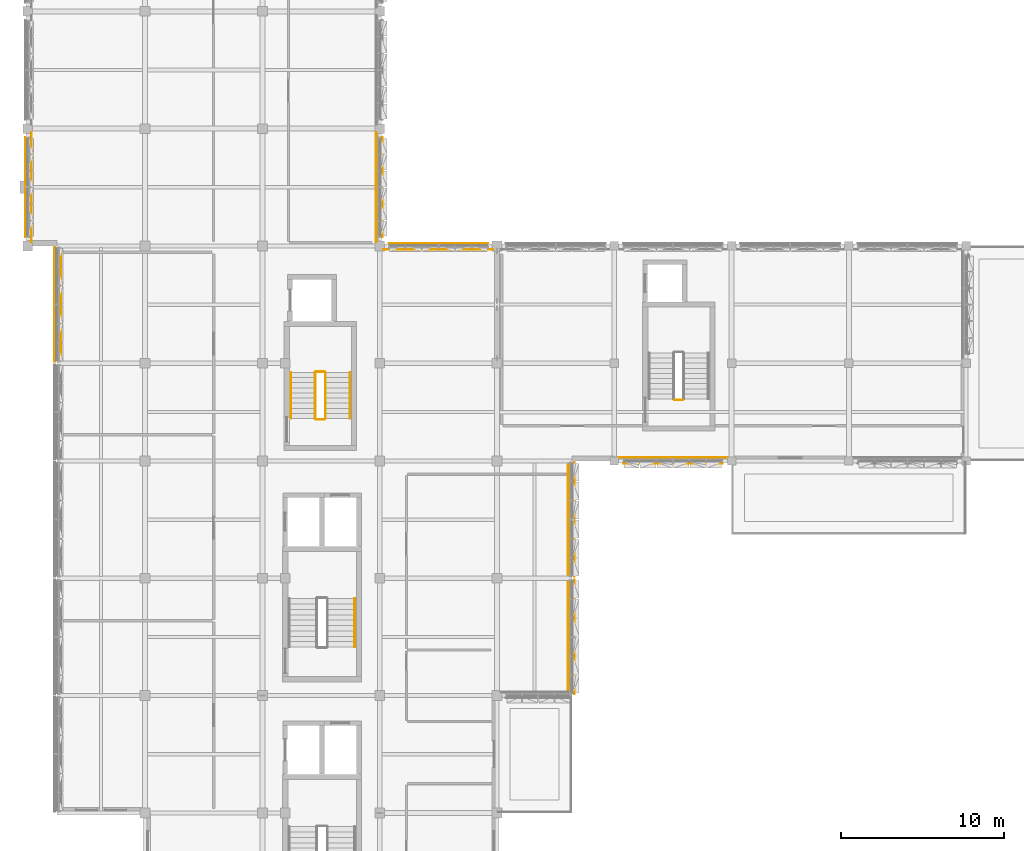
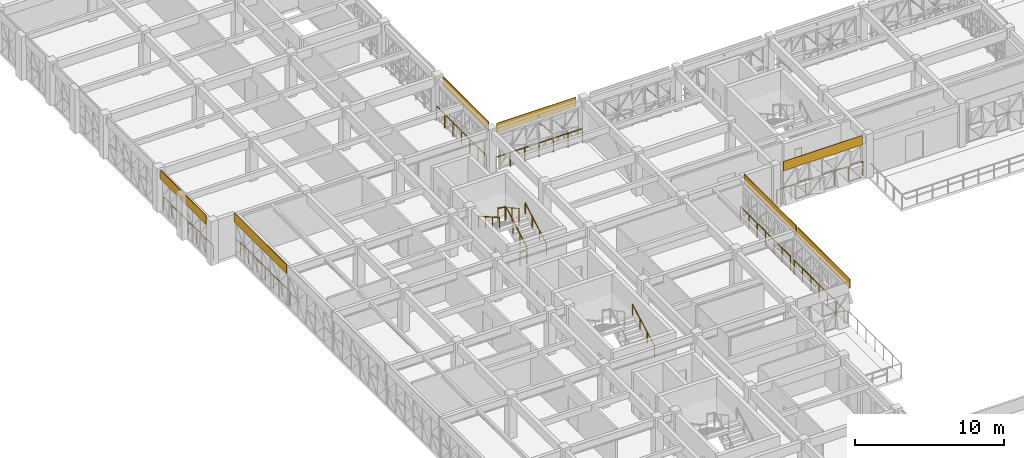
# One storey, part 61 of 74: 15 railings, 7 coverings.
"""IFC4 building model written with IfcOpenShell, lengths in metres."""

from ifc_helpers import new_model, si_unit, direction, frame, origin, origin_2d, place, context, subcontext, project, spatial, polyline, circle, outline, extrude, material, layer, layer_set, type_object, element, save


model = new_model("IFC4")

# Units and contexts
model_context = context("Model", 3, precision=1e-05, world=origin(), true_north=direction((0.0, 1.0)))
body_context = subcontext(model_context, "Body", "Model", "MODEL_VIEW")
ifc_project = project(units=[si_unit("LENGTHUNIT", "METRE"), si_unit("AREAUNIT", "SQUARE_METRE"), si_unit("VOLUMEUNIT", "CUBIC_METRE"), si_unit("PLANEANGLEUNIT", "RADIAN"), si_unit("MASSUNIT", "GRAM", prefix="KILO")], contexts=[model_context])

# Site, building, storey
site_placement = place(None, origin())
site = spatial("IfcSite", under=ifc_project, at=site_placement, CompositionType="ELEMENT")
building_placement = place(site_placement, origin())
building = spatial("IfcBuilding", under=site, at=building_placement, Name="Alvorim Cloister Faculty of Sciences", CompositionType="ELEMENT")
storey_placement = place(building_placement, frame((0.0, 0.0, 15.75)))
storey = spatial("IfcBuildingStorey", under=building, at=storey_placement, Name="L04", CompositionType="ELEMENT", Elevation=15.75)

# Coverings
ifc_material_1 = material(Name="Anodised Aluminium Alloy 6063-T6", Category="aluminium")
ifc_layer = layer(ifc_material_1, 0.031982421875)
ifc_layer_set = layer_set([ifc_layer], Name="Anodised Aluminium Alloy 6063-T6")
covering_type = type_object("IfcCoveringType", Name="COV-FAC-CAS", PredefinedType="CLADDING", material=ifc_layer_set)
covering_placement = place(storey_placement, frame((1.64990234375, 49.280029296875, 2.8369140625), z_axis=(0.0, 0.0, 1.0), x_axis=(0.0, 1.0, 0.0)))
element("IfcCovering", 1, at=covering_placement, inside=storey, type_object=covering_type, Name="L04 Shifted Bar Slab-Edge Architectural Fascia", PredefinedType="CLADDING", context=body_context, shape_type="SweptSolid", body=[
    extrude(outline(polyline([(0.0, 0.0), (7.0400390625, 0.0), (7.0400390625, 0.753173828125), (0.0, 0.753173828125), (0.0, 0.0)])), frame((0.0, 0.0224609375, 0.0), z_axis=(0.0, -1.0, 0.0), x_axis=(1.0, 0.0, 0.0)), (0.0, 0.0, 1.0), 0.044921875),
])
for number, where, z_axis, x_axis, name in (
    (2, (-0.14990234375, 56.93994140625, 2.830078125), (0.0, 0.0, 1.0), (0.0, 1.0, 0.0), "L04 Shifted Bar Slab-Edge Architectural Fascia"),
    (3, (21.75, 56.93994140625, 2.830078125), (0.0, 0.0, 1.0), (0.0, 1.0, 0.0), "L04 Shifted Bar Slab-Edge Architectural Fascia"),
    (4, (22.139892578125, 56.550048828125, 2.830078125), (0.0, 0.0, 1.0), (1.0, 0.0, 0.0), "L04 Shifted Bar Slab-Edge Architectural Fascia"),
    (5, (36.5400390625, 43.050048828125, 2.830078125), (0.0, 0.0, 1.0), (1.0, 0.0, 0.0), "L04 Shifted Bar Slab-Edge Architectural Fascia"),
):
    element("IfcCovering", number, at=place(storey_placement, frame(where, z_axis=z_axis, x_axis=x_axis)), inside=storey, type_object=covering_type, Name=name, PredefinedType="CLADDING", context=body_context, shape_type="SweptSolid", body=[
        extrude(outline(polyline([(0.0, 0.0), (6.1201171875, 0.0), (6.1201171875, 0.760009765625), (0.0, 0.760009765625), (0.0, 0.0)])), frame((0.0, 0.0224609375, 0.0), z_axis=(0.0, -1.0, 0.0), x_axis=(1.0, 0.0, 0.0)), (0.0, 0.0, 1.0), 0.044921875),
    ])
for number, where, z_axis, x_axis, name in (
    (6, (33.550048828125, 36.080078125, 2.8369140625), (0.0, 0.0, 1.0), (0.0, 1.0, 0.0), "L04 Shifted Bar Slab-Edge Architectural Fascia"),
    (7, (33.550048828125, 28.8798828125, 2.8369140625), (0.0, 0.0, 1.0), (0.0, 1.0, 0.0), "L04 Shifted Bar Slab-Edge Architectural Fascia"),
):
    element("IfcCovering", number, at=place(storey_placement, frame(where, z_axis=z_axis, x_axis=x_axis)), inside=storey, type_object=covering_type, Name=name, PredefinedType="CLADDING", context=body_context, shape_type="SweptSolid", body=[
        extrude(outline(polyline([(0.0, 0.0), (7.0400390625, 0.0), (7.0400390625, 0.753173828125), (0.0, 0.753173828125), (0.0, 0.0)])), frame((0.0, 0.0224609375, 0.0), z_axis=(0.0, -1.0, 0.0), x_axis=(1.0, 0.0, 0.0)), (0.0, 0.0, 1.0), 0.044921875),
    ])

# Railings
ifc_material_2 = material(Name="Laminated Safety Glass and Bronze", Category="glass")
railing_type_1 = type_object("IfcRailingType", Name="RL-ATR-BAL-1150", PredefinedType="BALUSTRADE", material=ifc_material_2)
railing_1_placement = place(storey_placement, frame((2.02001953125, 49.449951171875, 0.0)))
element("IfcRailing", 8, at=railing_1_placement, inside=storey, type_object=railing_type_1, Name="L04 Curtain Wall Sill Guard BL-163", PredefinedType="BALUSTRADE", context=body_context, shape_type="SweptSolid", body=[
    extrude(circle(Radius=0.02392578125, at=origin_2d()), frame((0.0, 0.0, 1.1259765625), z_axis=(0.0, 1.0, 0.0), x_axis=(-1.0, 0.0, 0.0)), (0.0, 0.0, 1.0), 6.699951171875),
    extrude(circle(Radius=0.02099609375, at=origin_2d()), origin(), (0.0, 0.0, 1.0), 1.101806640625),
    extrude(circle(Radius=0.02099609375, at=origin_2d()), frame((0.0, 1.11669921875, 0.0)), (0.0, 0.0, 1.0), 1.101806640625),
    extrude(circle(Radius=0.02099609375, at=origin_2d()), frame((0.0, 2.2333984375, 0.0)), (0.0, 0.0, 1.0), 1.101806640625),
    extrude(circle(Radius=0.02099609375, at=origin_2d()), frame((0.0, 3.35009765625, 0.0)), (0.0, 0.0, 1.0), 1.101806640625),
    extrude(circle(Radius=0.02099609375, at=origin_2d()), frame((0.0, 4.466552734375, 0.0)), (0.0, 0.0, 1.0), 1.101806640625),
    extrude(circle(Radius=0.02099609375, at=origin_2d()), frame((0.0, 5.583251953125, 0.0)), (0.0, 0.0, 1.0), 1.101806640625),
    extrude(circle(Radius=0.02099609375, at=origin_2d()), frame((0.0, 6.699951171875, 0.0)), (0.0, 0.0, 1.0), 1.101806640625),
])
for number, where, name in (
    (9, (0.219970703125, 56.64990234375, 0.0), "L04 Curtain Wall Sill Guard BL-164"),
    (10, (21.3798828125, 56.64990234375, 0.0), "L04 Curtain Wall Sill Guard BL-182"),
):
    element("IfcRailing", number, at=place(storey_placement, frame(where)), inside=storey, type_object=railing_type_1, Name=name, PredefinedType="BALUSTRADE", context=body_context, shape_type="SweptSolid", body=[
        extrude(circle(Radius=0.02392578125, at=origin_2d()), frame((0.0, 0.0, 1.1259765625), z_axis=(0.0, 1.0, 0.0), x_axis=(-1.0, 0.0, 0.0)), (0.0, 0.0, 1.0), 6.7001953125),
        extrude(circle(Radius=0.02099609375, at=origin_2d()), origin(), (0.0, 0.0, 1.0), 1.101806640625),
        extrude(circle(Radius=0.02099609375, at=origin_2d()), frame((0.0, 1.11669921875, 0.0)), (0.0, 0.0, 1.0), 1.101806640625),
        extrude(circle(Radius=0.02099609375, at=origin_2d()), frame((0.0, 2.2333984375, 0.0)), (0.0, 0.0, 1.0), 1.101806640625),
        extrude(circle(Radius=0.02099609375, at=origin_2d()), frame((0.0, 3.35009765625, 0.0)), (0.0, 0.0, 1.0), 1.101806640625),
        extrude(circle(Radius=0.02099609375, at=origin_2d()), frame((0.0, 4.466796875, 0.0)), (0.0, 0.0, 1.0), 1.101806640625),
        extrude(circle(Radius=0.02099609375, at=origin_2d()), frame((0.0, 5.58349609375, 0.0)), (0.0, 0.0, 1.0), 1.101806640625),
        extrude(circle(Radius=0.02099609375, at=origin_2d()), frame((0.0, 6.7001953125, 0.0)), (0.0, 0.0, 1.0), 1.101806640625),
    ])
for number, where, name in (
    (11, (21.85009765625, 56.179931640625, 0.0), "L04 Curtain Wall Sill Guard BL-183"),
    (12, (36.25, 43.419921875, 0.0), "L04 Curtain Wall Sill Guard BL-190"),
):
    element("IfcRailing", number, at=place(storey_placement, frame(where)), inside=storey, type_object=railing_type_1, Name=name, PredefinedType="BALUSTRADE", context=body_context, shape_type="SweptSolid", body=[
        extrude(circle(Radius=0.02392578125, at=origin_2d()), frame((0.0, 0.0, 1.1259765625), z_axis=(1.0, 0.0, 0.0), x_axis=(0.0, 1.0, 0.0)), (0.0, 0.0, 1.0), 6.699951171875),
        extrude(circle(Radius=0.02099609375, at=origin_2d()), origin(), (0.0, 0.0, 1.0), 1.101806640625),
        extrude(circle(Radius=0.02099609375, at=origin_2d()), frame((1.11669921875, 0.0, 0.0)), (0.0, 0.0, 1.0), 1.101806640625),
        extrude(circle(Radius=0.02099609375, at=origin_2d()), frame((2.2333984375, 0.0, 0.0)), (0.0, 0.0, 1.0), 1.101806640625),
        extrude(circle(Radius=0.02099609375, at=origin_2d()), frame((3.35009765625, 0.0, 0.0)), (0.0, 0.0, 1.0), 1.101806640625),
        extrude(circle(Radius=0.02099609375, at=origin_2d()), frame((4.466552734375, 0.0, 0.0)), (0.0, 0.0, 1.0), 1.101806640625),
        extrude(circle(Radius=0.02099609375, at=origin_2d()), frame((5.583251953125, 0.0, 0.0)), (0.0, 0.0, 1.0), 1.101806640625),
        extrude(circle(Radius=0.02099609375, at=origin_2d()), frame((6.699951171875, 0.0, 0.0)), (0.0, 0.0, 1.0), 1.101806640625),
    ])
for number, where, name in (
    (13, (33.179931640625, 36.25, 0.0), "L04 Curtain Wall Sill Guard BL-191"),
    (14, (33.179931640625, 29.050048828125, 0.0), "L04 Curtain Wall Sill Guard BL-192"),
):
    element("IfcRailing", number, at=place(storey_placement, frame(where)), inside=storey, type_object=railing_type_1, Name=name, PredefinedType="BALUSTRADE", context=body_context, shape_type="SweptSolid", body=[
        extrude(circle(Radius=0.02392578125, at=origin_2d()), frame((0.0, 0.0, 1.1259765625), z_axis=(0.0, 1.0, 0.0), x_axis=(-1.0, 0.0, 0.0)), (0.0, 0.0, 1.0), 6.699951171875),
        extrude(circle(Radius=0.02099609375, at=origin_2d()), origin(), (0.0, 0.0, 1.0), 1.101806640625),
        extrude(circle(Radius=0.02099609375, at=origin_2d()), frame((0.0, 1.11669921875, 0.0)), (0.0, 0.0, 1.0), 1.101806640625),
        extrude(circle(Radius=0.02099609375, at=origin_2d()), frame((0.0, 2.2333984375, 0.0)), (0.0, 0.0, 1.0), 1.101806640625),
        extrude(circle(Radius=0.02099609375, at=origin_2d()), frame((0.0, 3.35009765625, 0.0)), (0.0, 0.0, 1.0), 1.101806640625),
        extrude(circle(Radius=0.02099609375, at=origin_2d()), frame((0.0, 4.466552734375, 0.0)), (0.0, 0.0, 1.0), 1.101806640625),
        extrude(circle(Radius=0.02099609375, at=origin_2d()), frame((0.0, 5.583251953125, 0.0)), (0.0, 0.0, 1.0), 1.101806640625),
        extrude(circle(Radius=0.02099609375, at=origin_2d()), frame((0.0, 6.699951171875, 0.0)), (0.0, 0.0, 1.0), 1.101806640625),
    ])
ifc_material_3 = material(Name="Galvanised Painted Steel", Category="steel")
railing_type_2 = type_object("IfcRailingType", Name="RL-STR-GUARD", PredefinedType="GUARDRAIL", material=ifc_material_3)
railing_2_placement = place(storey_placement, frame((18.27001953125, 45.800048828125, 0.179931640625)))
element("IfcRailing", 15, at=railing_2_placement, inside=storey, type_object=railing_type_2, Name="L04 ST-03 stair guard 1", PredefinedType="GUARDRAIL", context=body_context, shape_type="SweptSolid", body=[
    extrude(circle(Radius=0.02392578125, at=origin_2d()), frame((0.0, 0.0, 1.09619140625), z_axis=(0.0, 0.868224736699, 0.496171146464), x_axis=(-1.0, 0.0, 0.0)), (0.0, 0.0, 1.0), 3.26513671875),
    extrude(circle(Radius=0.02099609375, at=origin_2d()), origin(), (0.0, 0.0, 1.0), 1.072021484375),
    extrude(circle(Radius=0.02099609375, at=origin_2d()), frame((0.0, 0.945068359375, 0.5400390625)), (0.0, 0.0, 1.0), 1.072021484375),
    extrude(circle(Radius=0.02099609375, at=origin_2d()), frame((0.0, 1.889892578125, 1.080078125)), (0.0, 0.0, 1.0), 1.072021484375),
    extrude(circle(Radius=0.02099609375, at=origin_2d()), frame((0.0, 2.8349609375, 1.6201171875)), (0.0, 0.0, 1.0), 1.072021484375),
])
railing_3_placement = place(storey_placement, frame((18.219970703125, 48.68505859375, 1.800048828125)))
element("IfcRailing", 16, at=railing_3_placement, inside=storey, type_object=railing_type_2, Name="L04 ST-03 stair guard 2", PredefinedType="GUARDRAIL", context=body_context, shape_type="SweptSolid", body=[
    extrude(circle(Radius=0.02392578125, at=origin_2d()), frame((0.0, 0.0, 1.09619140625), z_axis=(-1.0, 0.0, 0.0), x_axis=(0.0, -1.0, 0.0)), (0.0, 0.0, 1.0), 0.52001953125),
    extrude(circle(Radius=0.02099609375, at=origin_2d()), origin(), (0.0, 0.0, 1.0), 1.072021484375),
    extrude(circle(Radius=0.02099609375, at=origin_2d()), frame((-0.52001953125, 0.0, 0.0)), (0.0, 0.0, 1.0), 1.072021484375),
])
railing_4_placement = place(storey_placement, frame((17.64990234375, 48.635009765625, 1.97998046875)))
element("IfcRailing", 17, at=railing_4_placement, inside=storey, type_object=railing_type_2, Name="L04 ST-03 stair guard 3", PredefinedType="GUARDRAIL", context=body_context, shape_type="SweptSolid", body=[
    extrude(circle(Radius=0.02392578125, at=origin_2d()), frame((0.0, 0.0, 1.09619140625), z_axis=(0.0, -0.868224736699, 0.496171146464), x_axis=(1.0, 0.0, 0.0)), (0.0, 0.0, 1.0), 3.26513671875),
    extrude(circle(Radius=0.02099609375, at=origin_2d()), origin(), (0.0, 0.0, 1.0), 1.072021484375),
    extrude(circle(Radius=0.02099609375, at=origin_2d()), frame((0.0, -0.945068359375, 0.5400390625)), (0.0, 0.0, 1.0), 1.072021484375),
    extrude(circle(Radius=0.02099609375, at=origin_2d()), frame((0.0, -1.889892578125, 1.080078125)), (0.0, 0.0, 1.0), 1.072021484375),
    extrude(circle(Radius=0.02099609375, at=origin_2d()), frame((0.0, -2.8349609375, 1.6201171875)), (0.0, 0.0, 1.0), 1.072021484375),
])
for number, where, name in (
    (18, (18.219970703125, 45.75, 0.0), "L04 ST-03 stair guard 4"),
    (19, (40.219970703125, 46.949951171875, 0.0), "L04 ST-04 stair guard 4"),
):
    element("IfcRailing", number, at=place(storey_placement, frame(where)), inside=storey, type_object=railing_type_2, Name=name, PredefinedType="GUARDRAIL", context=body_context, shape_type="SweptSolid", body=[
        extrude(circle(Radius=0.02392578125, at=origin_2d()), frame((0.0, 0.0, 1.09619140625), z_axis=(-1.0, 0.0, 0.0), x_axis=(0.0, -1.0, 0.0)), (0.0, 0.0, 1.0), 0.52001953125),
        extrude(circle(Radius=0.02099609375, at=origin_2d()), origin(), (0.0, 0.0, 1.0), 1.072021484375),
        extrude(circle(Radius=0.02099609375, at=origin_2d()), frame((-0.52001953125, 0.0, 0.0)), (0.0, 0.0, 1.0), 1.072021484375),
    ])
ifc_material_4 = material(Name="Brushed Stainless Steel", Category="steel")
railing_type_3 = type_object("IfcRailingType", Name="RL-STR-HAND", PredefinedType="HANDRAIL", material=ifc_material_4)
railing_5_placement = place(storey_placement, frame((20.070068359375, 31.780029296875, 0.179931640625)))
element("IfcRailing", 20, at=railing_5_placement, inside=storey, type_object=railing_type_3, Name="L04 ST-02 stair handrail 1", PredefinedType="HANDRAIL", context=body_context, shape_type="SweptSolid", body=[
    extrude(circle(Radius=0.02392578125, at=origin_2d()), frame((0.0, 0.0, 0.8759765625), z_axis=(0.0, 0.877879025156, 0.47888246699), x_axis=(-1.0, 0.0, 0.0)), (0.0, 0.0, 1.0), 3.383056640625),
    extrude(circle(Radius=0.02099609375, at=origin_2d()), origin(), (0.0, 0.0, 1.0), 0.851806640625),
    extrude(circle(Radius=0.02099609375, at=origin_2d()), frame((0.0, 0.989990234375, 0.5400390625)), (0.0, 0.0, 1.0), 0.851806640625),
    extrude(circle(Radius=0.02099609375, at=origin_2d()), frame((0.0, 1.97998046875, 1.080078125)), (0.0, 0.0, 1.0), 0.851806640625),
    extrude(circle(Radius=0.02099609375, at=origin_2d()), frame((0.0, 2.969970703125, 1.6201171875)), (0.0, 0.0, 1.0), 0.851806640625),
])
railing_6_placement = place(storey_placement, frame((19.77001953125, 45.800048828125, 0.179931640625)))
element("IfcRailing", 21, at=railing_6_placement, inside=storey, type_object=railing_type_3, Name="L04 ST-03 stair handrail 1", PredefinedType="HANDRAIL", context=body_context, shape_type="SweptSolid", body=[
    extrude(circle(Radius=0.02392578125, at=origin_2d()), frame((0.0, 0.0, 0.8759765625), z_axis=(0.0, 0.868224736699, 0.496171146464), x_axis=(-1.0, 0.0, 0.0)), (0.0, 0.0, 1.0), 3.26513671875),
    extrude(circle(Radius=0.02099609375, at=origin_2d()), origin(), (0.0, 0.0, 1.0), 0.851806640625),
    extrude(circle(Radius=0.02099609375, at=origin_2d()), frame((0.0, 0.945068359375, 0.5400390625)), (0.0, 0.0, 1.0), 0.851806640625),
    extrude(circle(Radius=0.02099609375, at=origin_2d()), frame((0.0, 1.889892578125, 1.080078125)), (0.0, 0.0, 1.0), 0.851806640625),
    extrude(circle(Radius=0.02099609375, at=origin_2d()), frame((0.0, 2.8349609375, 1.6201171875)), (0.0, 0.0, 1.0), 0.851806640625),
])
railing_7_placement = place(storey_placement, frame((16.14990234375, 48.635009765625, 1.97998046875)))
element("IfcRailing", 22, at=railing_7_placement, inside=storey, type_object=railing_type_3, Name="L04 ST-03 stair handrail 2", PredefinedType="HANDRAIL", context=body_context, shape_type="SweptSolid", body=[
    extrude(circle(Radius=0.02392578125, at=origin_2d()), frame((0.0, 0.0, 0.8759765625), z_axis=(0.0, -0.868224736699, 0.496171146464), x_axis=(1.0, 0.0, 0.0)), (0.0, 0.0, 1.0), 3.26513671875),
    extrude(circle(Radius=0.02099609375, at=origin_2d()), origin(), (0.0, 0.0, 1.0), 0.851806640625),
    extrude(circle(Radius=0.02099609375, at=origin_2d()), frame((0.0, -0.945068359375, 0.5400390625)), (0.0, 0.0, 1.0), 0.851806640625),
    extrude(circle(Radius=0.02099609375, at=origin_2d()), frame((0.0, -1.889892578125, 1.080078125)), (0.0, 0.0, 1.0), 0.851806640625),
    extrude(circle(Radius=0.02099609375, at=origin_2d()), frame((0.0, -2.8349609375, 1.6201171875)), (0.0, 0.0, 1.0), 0.851806640625),
])

save(model, "model.ifc")
